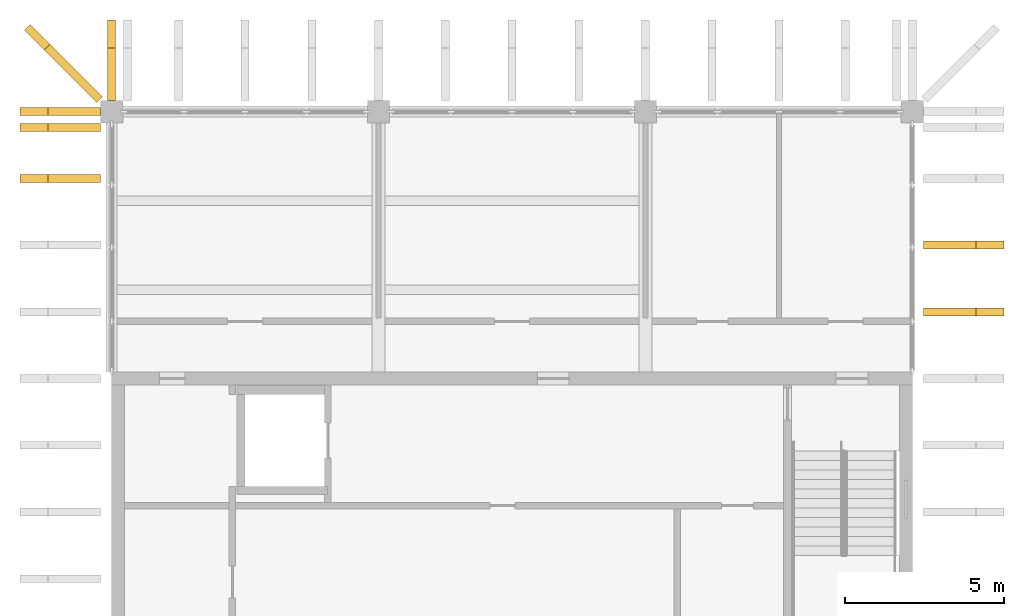
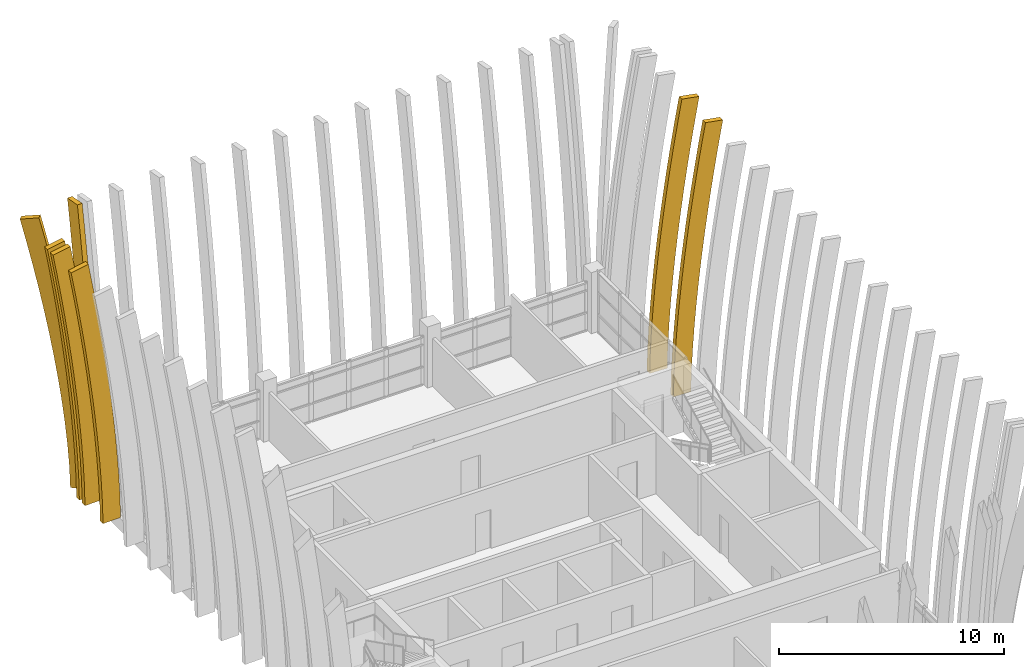
# One storey, part 15 of 19: 7 shading devices.
"""IFC4 building model written with IfcOpenShell, lengths in metres."""

from ifc_helpers import new_model, si_unit, direction, frame, origin, origin_2d, place, context, subcontext, project, spatial, rectangle, faceted_brep, material, material_profile, profile_set, type_object, element, save


model = new_model("IFC4")

# Units and contexts
model_context = context("Model", 3, precision=1e-05, world=origin(), true_north=direction((0.0, 1.0)))
body_context = subcontext(model_context, "Body", "Model", "MODEL_VIEW")
ifc_project = project(units=[si_unit("LENGTHUNIT", "METRE"), si_unit("AREAUNIT", "SQUARE_METRE"), si_unit("VOLUMEUNIT", "CUBIC_METRE"), si_unit("PLANEANGLEUNIT", "RADIAN"), si_unit("MASSUNIT", "GRAM", prefix="KILO")], contexts=[model_context])

# Site, building, storey
site_placement = place(None, origin())
site = spatial("IfcSite", under=ifc_project, at=site_placement, CompositionType="ELEMENT")
building_placement = place(site_placement, origin())
building = spatial("IfcBuilding", under=site, at=building_placement, Name="Rulbaag Community and Learning Centre", CompositionType="ELEMENT")
storey_placement = place(building_placement, frame((0.0, 0.0, 57.60009765625)))
storey = spatial("IfcBuildingStorey", under=building, at=storey_placement, Name="L15", CompositionType="ELEMENT", Elevation=57.60009765625)

# Shading devices
ifc_material = material(Name="Concrete M40", Category="concrete")
ifc_material_profile = material_profile(ifc_material, rectangle(XDim=0.25, YDim=0.89990234375, at=origin_2d()), Name="PC 250x900")
ifc_profile_set = profile_set([ifc_material_profile], Name="Concrete M40")
shading_device_type = type_object("IfcShadingDeviceType", Name="FIN-H", PredefinedType="JALOUSIE", material=ifc_profile_set)
shading_device_1_placement = place(storey_placement, frame((0.0, 0.0, -57.60009765625)))
element("IfcShadingDevice", 1, at=shading_device_1_placement, inside=storey, type_object=shading_device_type, Name="Precast crown fin", PredefinedType="JALOUSIE", context=body_context, shape_type="Brep", body=[
    faceted_brep([(142.675048828125, 118.849853515625, 57.587646484375), (142.925048828125, 118.849853515625, 57.587646484375), (142.925048828125, 117.949951171875, 57.611083984375), (142.675048828125, 117.949951171875, 57.611083984375), (142.675048828125, 119.599609375, 71.89794921875), (142.925048828125, 119.599609375, 71.89794921875), (142.925048828125, 120.4853515625, 71.73876953125), (142.675048828125, 120.4853515625, 71.73876953125), (142.925048828125, 117.98095703125, 58.790771484375), (142.675048828125, 117.98095703125, 58.790771484375), (142.925048828125, 118.88037109375, 58.755126953125), (142.675048828125, 118.88037109375, 58.755126953125), (142.925048828125, 118.043701171875, 59.983154296875), (142.675048828125, 118.043701171875, 59.983154296875), (142.925048828125, 118.942138671875, 59.927001953125), (142.675048828125, 118.942138671875, 59.927001953125), (142.925048828125, 118.129638671875, 61.1748046875), (142.675048828125, 118.129638671875, 61.1748046875), (142.925048828125, 119.026611328125, 61.10302734375), (142.675048828125, 119.026611328125, 61.10302734375), (142.925048828125, 118.234619140625, 62.36669921875), (142.675048828125, 118.234619140625, 62.36669921875), (142.925048828125, 119.130615234375, 62.28125), (142.675048828125, 119.130615234375, 62.28125), (142.925048828125, 118.356689453125, 63.558349609375), (142.675048828125, 118.356689453125, 63.558349609375), (142.925048828125, 119.251220703125, 63.460693359375), (142.675048828125, 119.251220703125, 63.460693359375), (142.925048828125, 118.494140625, 64.75), (142.675048828125, 118.494140625, 64.75), (142.925048828125, 119.3876953125, 64.64111328125), (142.675048828125, 119.3876953125, 64.64111328125), (142.925048828125, 118.646484375, 65.941650390625), (142.675048828125, 118.646484375, 65.941650390625), (142.925048828125, 119.53857421875, 65.822509765625), (142.675048828125, 119.53857421875, 65.822509765625), (142.925048828125, 118.8125, 67.13330078125), (142.675048828125, 118.8125, 67.13330078125), (142.925048828125, 119.703125, 67.00439453125), (142.675048828125, 119.703125, 67.00439453125), (142.925048828125, 118.991455078125, 68.324951171875), (142.675048828125, 118.991455078125, 68.324951171875), (142.925048828125, 119.880615234375, 68.186767578125), (142.675048828125, 119.880615234375, 68.186767578125), (142.925048828125, 119.1826171875, 69.5166015625), (142.675048828125, 119.1826171875, 69.5166015625), (142.925048828125, 120.0703125, 69.36962890625), (142.675048828125, 120.0703125, 69.36962890625), (142.925048828125, 119.385498046875, 70.708251953125), (142.675048828125, 119.385498046875, 70.708251953125), (142.925048828125, 120.272216796875, 70.552978515625), (142.675048828125, 120.272216796875, 70.552978515625)], [[[0, 1, 2, 3]], [[4, 5, 6, 7]], [[3, 2, 8, 9]], [[2, 1, 10, 8]], [[1, 0, 11, 10]], [[0, 3, 9, 11]], [[9, 8, 12, 13]], [[8, 10, 14, 12]], [[10, 11, 15, 14]], [[11, 9, 13, 15]], [[13, 12, 16, 17]], [[12, 14, 18, 16]], [[14, 15, 19, 18]], [[15, 13, 17, 19]], [[17, 16, 20, 21]], [[16, 18, 22, 20]], [[18, 19, 23, 22]], [[19, 17, 21, 23]], [[21, 20, 24, 25]], [[20, 22, 26, 24]], [[22, 23, 27, 26]], [[23, 21, 25, 27]], [[25, 24, 28, 29]], [[24, 26, 30, 28]], [[26, 27, 31, 30]], [[27, 25, 29, 31]], [[29, 28, 32, 33]], [[28, 30, 34, 32]], [[30, 31, 35, 34]], [[31, 29, 33, 35]], [[33, 32, 36, 37]], [[32, 34, 38, 36]], [[34, 35, 39, 38]], [[35, 33, 37, 39]], [[37, 36, 40, 41]], [[36, 38, 42, 40]], [[38, 39, 43, 42]], [[39, 37, 41, 43]], [[41, 40, 44, 45]], [[40, 42, 46, 44]], [[42, 43, 47, 46]], [[43, 41, 45, 47]], [[45, 44, 48, 49]], [[44, 46, 50, 48]], [[46, 47, 51, 50]], [[47, 45, 49, 51]], [[49, 48, 5, 4]], [[48, 50, 6, 5]], [[50, 51, 7, 6]], [[51, 49, 4, 7]]]),
])
shading_device_2_placement = place(storey_placement, frame((0.0, 0.0, -57.60009765625)))
element("IfcShadingDevice", 2, at=shading_device_2_placement, inside=storey, type_object=shading_device_type, Name="Precast crown fin", PredefinedType="JALOUSIE", context=body_context, shape_type="Brep", body=[
    faceted_brep([(141.550048828125, 115.375, 57.587646484375), (141.550048828125, 115.625, 57.587646484375), (142.449951171875, 115.625, 57.611083984375), (142.449951171875, 115.375, 57.611083984375), (140.80029296875, 115.375, 71.898193359375), (140.80029296875, 115.625, 71.898193359375), (139.91455078125, 115.625, 71.738525390625), (139.91455078125, 115.375, 71.738525390625), (142.419189453125, 115.625, 58.790771484375), (142.419189453125, 115.375, 58.790771484375), (141.519775390625, 115.625, 58.755126953125), (141.519775390625, 115.375, 58.755126953125), (142.356201171875, 115.625, 59.983154296875), (142.356201171875, 115.375, 59.983154296875), (141.457763671875, 115.625, 59.927001953125), (141.457763671875, 115.375, 59.927001953125), (142.2705078125, 115.625, 61.1748046875), (142.2705078125, 115.375, 61.1748046875), (141.37353515625, 115.625, 61.10302734375), (141.37353515625, 115.375, 61.10302734375), (142.16552734375, 115.625, 62.36669921875), (142.16552734375, 115.375, 62.36669921875), (141.26953125, 115.625, 62.28125), (141.26953125, 115.375, 62.28125), (142.04345703125, 115.625, 63.558349609375), (142.04345703125, 115.375, 63.558349609375), (141.14892578125, 115.625, 63.460693359375), (141.14892578125, 115.375, 63.460693359375), (141.90576171875, 115.625, 64.75), (141.90576171875, 115.375, 64.75), (141.01220703125, 115.625, 64.64111328125), (141.01220703125, 115.375, 64.64111328125), (141.75341796875, 115.625, 65.941650390625), (141.75341796875, 115.375, 65.941650390625), (140.861328125, 115.625, 65.822509765625), (140.861328125, 115.375, 65.822509765625), (141.58740234375, 115.625, 67.13330078125), (141.58740234375, 115.375, 67.13330078125), (140.69677734375, 115.625, 67.00439453125), (140.69677734375, 115.375, 67.00439453125), (141.40869140625, 115.625, 68.324951171875), (141.40869140625, 115.375, 68.324951171875), (140.51953125, 115.625, 68.186767578125), (140.51953125, 115.375, 68.186767578125), (141.21728515625, 115.625, 69.5166015625), (141.21728515625, 115.375, 69.5166015625), (140.32958984375, 115.625, 69.36962890625), (140.32958984375, 115.375, 69.36962890625), (141.0146484375, 115.625, 70.708251953125), (141.0146484375, 115.375, 70.708251953125), (140.1279296875, 115.625, 70.552978515625), (140.1279296875, 115.375, 70.552978515625)], [[[0, 1, 2, 3]], [[4, 5, 6, 7]], [[3, 2, 8, 9]], [[2, 1, 10, 8]], [[1, 0, 11, 10]], [[0, 3, 9, 11]], [[9, 8, 12, 13]], [[8, 10, 14, 12]], [[10, 11, 15, 14]], [[11, 9, 13, 15]], [[13, 12, 16, 17]], [[12, 14, 18, 16]], [[14, 15, 19, 18]], [[15, 13, 17, 19]], [[17, 16, 20, 21]], [[16, 18, 22, 20]], [[18, 19, 23, 22]], [[19, 17, 21, 23]], [[21, 20, 24, 25]], [[20, 22, 26, 24]], [[22, 23, 27, 26]], [[23, 21, 25, 27]], [[25, 24, 28, 29]], [[24, 26, 30, 28]], [[26, 27, 31, 30]], [[27, 25, 29, 31]], [[29, 28, 32, 33]], [[28, 30, 34, 32]], [[30, 31, 35, 34]], [[31, 29, 33, 35]], [[33, 32, 36, 37]], [[32, 34, 38, 36]], [[34, 35, 39, 38]], [[35, 33, 37, 39]], [[37, 36, 40, 41]], [[36, 38, 42, 40]], [[38, 39, 43, 42]], [[39, 37, 41, 43]], [[41, 40, 44, 45]], [[40, 42, 46, 44]], [[42, 43, 47, 46]], [[43, 41, 45, 47]], [[45, 44, 48, 49]], [[44, 46, 50, 48]], [[46, 47, 51, 50]], [[47, 45, 49, 51]], [[49, 48, 5, 4]], [[48, 50, 6, 5]], [[50, 51, 7, 6]], [[51, 49, 4, 7]]]),
])
shading_device_3_placement = place(storey_placement, frame((0.0, 0.0, -57.60009765625)))
element("IfcShadingDevice", 3, at=shading_device_3_placement, inside=storey, type_object=shading_device_type, Name="Precast crown fin", PredefinedType="JALOUSIE", context=body_context, shape_type="Brep", body=[
    faceted_brep([(141.550048828125, 116.97509765625, 57.587646484375), (141.550048828125, 117.22509765625, 57.587646484375), (142.449951171875, 117.22509765625, 57.611083984375), (142.449951171875, 116.97509765625, 57.611083984375), (140.80029296875, 116.97509765625, 71.898193359375), (140.80029296875, 117.22509765625, 71.898193359375), (139.91455078125, 117.22509765625, 71.738525390625), (139.91455078125, 116.97509765625, 71.738525390625), (142.419189453125, 117.22509765625, 58.790771484375), (142.419189453125, 116.97509765625, 58.790771484375), (141.519775390625, 117.22509765625, 58.755126953125), (141.519775390625, 116.97509765625, 58.755126953125), (142.356201171875, 117.22509765625, 59.983154296875), (142.356201171875, 116.97509765625, 59.983154296875), (141.457763671875, 117.22509765625, 59.927001953125), (141.457763671875, 116.97509765625, 59.927001953125), (142.2705078125, 117.22509765625, 61.1748046875), (142.2705078125, 116.97509765625, 61.1748046875), (141.37353515625, 117.22509765625, 61.10302734375), (141.37353515625, 116.97509765625, 61.10302734375), (142.16552734375, 117.22509765625, 62.36669921875), (142.16552734375, 116.97509765625, 62.36669921875), (141.26953125, 117.22509765625, 62.28125), (141.26953125, 116.97509765625, 62.28125), (142.04345703125, 117.22509765625, 63.558349609375), (142.04345703125, 116.97509765625, 63.558349609375), (141.14892578125, 117.22509765625, 63.460693359375), (141.14892578125, 116.97509765625, 63.460693359375), (141.90576171875, 117.22509765625, 64.75), (141.90576171875, 116.97509765625, 64.75), (141.01220703125, 117.22509765625, 64.64111328125), (141.01220703125, 116.97509765625, 64.64111328125), (141.75341796875, 117.22509765625, 65.941650390625), (141.75341796875, 116.97509765625, 65.941650390625), (140.861328125, 117.22509765625, 65.822509765625), (140.861328125, 116.97509765625, 65.822509765625), (141.58740234375, 117.22509765625, 67.13330078125), (141.58740234375, 116.97509765625, 67.13330078125), (140.69677734375, 117.22509765625, 67.00439453125), (140.69677734375, 116.97509765625, 67.00439453125), (141.40869140625, 117.22509765625, 68.324951171875), (141.40869140625, 116.97509765625, 68.324951171875), (140.51953125, 117.22509765625, 68.186767578125), (140.51953125, 116.97509765625, 68.186767578125), (141.21728515625, 117.22509765625, 69.5166015625), (141.21728515625, 116.97509765625, 69.5166015625), (140.32958984375, 117.22509765625, 69.36962890625), (140.32958984375, 116.97509765625, 69.36962890625), (141.0146484375, 117.22509765625, 70.708251953125), (141.0146484375, 116.97509765625, 70.708251953125), (140.1279296875, 117.22509765625, 70.552978515625), (140.1279296875, 116.97509765625, 70.552978515625)], [[[0, 1, 2, 3]], [[4, 5, 6, 7]], [[3, 2, 8, 9]], [[2, 1, 10, 8]], [[1, 0, 11, 10]], [[0, 3, 9, 11]], [[9, 8, 12, 13]], [[8, 10, 14, 12]], [[10, 11, 15, 14]], [[11, 9, 13, 15]], [[13, 12, 16, 17]], [[12, 14, 18, 16]], [[14, 15, 19, 18]], [[15, 13, 17, 19]], [[17, 16, 20, 21]], [[16, 18, 22, 20]], [[18, 19, 23, 22]], [[19, 17, 21, 23]], [[21, 20, 24, 25]], [[20, 22, 26, 24]], [[22, 23, 27, 26]], [[23, 21, 25, 27]], [[25, 24, 28, 29]], [[24, 26, 30, 28]], [[26, 27, 31, 30]], [[27, 25, 29, 31]], [[29, 28, 32, 33]], [[28, 30, 34, 32]], [[30, 31, 35, 34]], [[31, 29, 33, 35]], [[33, 32, 36, 37]], [[32, 34, 38, 36]], [[34, 35, 39, 38]], [[35, 33, 37, 39]], [[37, 36, 40, 41]], [[36, 38, 42, 40]], [[38, 39, 43, 42]], [[39, 37, 41, 43]], [[41, 40, 44, 45]], [[40, 42, 46, 44]], [[42, 43, 47, 46]], [[43, 41, 45, 47]], [[45, 44, 48, 49]], [[44, 46, 50, 48]], [[46, 47, 51, 50]], [[47, 45, 49, 51]], [[49, 48, 5, 4]], [[48, 50, 6, 5]], [[50, 51, 7, 6]], [[51, 49, 4, 7]]]),
])
shading_device_4_placement = place(storey_placement, frame((0.0, 0.0, -57.60009765625)))
element("IfcShadingDevice", 4, at=shading_device_4_placement, inside=storey, type_object=shading_device_type, Name="Precast crown fin", PredefinedType="JALOUSIE", context=body_context, shape_type="Brep", body=[
    faceted_brep([(141.550048828125, 117.47509765625, 57.587646484375), (141.550048828125, 117.72509765625, 57.587646484375), (142.449951171875, 117.72509765625, 57.611083984375), (142.449951171875, 117.47509765625, 57.611083984375), (140.80029296875, 117.47509765625, 71.898193359375), (140.80029296875, 117.72509765625, 71.898193359375), (139.91455078125, 117.72509765625, 71.738525390625), (139.91455078125, 117.47509765625, 71.738525390625), (142.419189453125, 117.72509765625, 58.790771484375), (142.419189453125, 117.47509765625, 58.790771484375), (141.519775390625, 117.72509765625, 58.755126953125), (141.519775390625, 117.47509765625, 58.755126953125), (142.356201171875, 117.72509765625, 59.983154296875), (142.356201171875, 117.47509765625, 59.983154296875), (141.457763671875, 117.72509765625, 59.927001953125), (141.457763671875, 117.47509765625, 59.927001953125), (142.2705078125, 117.72509765625, 61.1748046875), (142.2705078125, 117.47509765625, 61.1748046875), (141.37353515625, 117.72509765625, 61.10302734375), (141.37353515625, 117.47509765625, 61.10302734375), (142.16552734375, 117.72509765625, 62.36669921875), (142.16552734375, 117.47509765625, 62.36669921875), (141.26953125, 117.72509765625, 62.28125), (141.26953125, 117.47509765625, 62.28125), (142.04345703125, 117.72509765625, 63.558349609375), (142.04345703125, 117.47509765625, 63.558349609375), (141.14892578125, 117.72509765625, 63.460693359375), (141.14892578125, 117.47509765625, 63.460693359375), (141.90576171875, 117.72509765625, 64.75), (141.90576171875, 117.47509765625, 64.75), (141.01220703125, 117.72509765625, 64.64111328125), (141.01220703125, 117.47509765625, 64.64111328125), (141.75341796875, 117.72509765625, 65.941650390625), (141.75341796875, 117.47509765625, 65.941650390625), (140.861328125, 117.72509765625, 65.822509765625), (140.861328125, 117.47509765625, 65.822509765625), (141.58740234375, 117.72509765625, 67.13330078125), (141.58740234375, 117.47509765625, 67.13330078125), (140.69677734375, 117.72509765625, 67.00439453125), (140.69677734375, 117.47509765625, 67.00439453125), (141.40869140625, 117.72509765625, 68.324951171875), (141.40869140625, 117.47509765625, 68.324951171875), (140.51953125, 117.72509765625, 68.186767578125), (140.51953125, 117.47509765625, 68.186767578125), (141.21728515625, 117.72509765625, 69.5166015625), (141.21728515625, 117.47509765625, 69.5166015625), (140.32958984375, 117.72509765625, 69.36962890625), (140.32958984375, 117.47509765625, 69.36962890625), (141.0146484375, 117.72509765625, 70.708251953125), (141.0146484375, 117.47509765625, 70.708251953125), (140.1279296875, 117.72509765625, 70.552978515625), (140.1279296875, 117.47509765625, 70.552978515625)], [[[0, 1, 2, 3]], [[4, 5, 6, 7]], [[3, 2, 8, 9]], [[2, 1, 10, 8]], [[1, 0, 11, 10]], [[0, 3, 9, 11]], [[9, 8, 12, 13]], [[8, 10, 14, 12]], [[10, 11, 15, 14]], [[11, 9, 13, 15]], [[13, 12, 16, 17]], [[12, 14, 18, 16]], [[14, 15, 19, 18]], [[15, 13, 17, 19]], [[17, 16, 20, 21]], [[16, 18, 22, 20]], [[18, 19, 23, 22]], [[19, 17, 21, 23]], [[21, 20, 24, 25]], [[20, 22, 26, 24]], [[22, 23, 27, 26]], [[23, 21, 25, 27]], [[25, 24, 28, 29]], [[24, 26, 30, 28]], [[26, 27, 31, 30]], [[27, 25, 29, 31]], [[29, 28, 32, 33]], [[28, 30, 34, 32]], [[30, 31, 35, 34]], [[31, 29, 33, 35]], [[33, 32, 36, 37]], [[32, 34, 38, 36]], [[34, 35, 39, 38]], [[35, 33, 37, 39]], [[37, 36, 40, 41]], [[36, 38, 42, 40]], [[38, 39, 43, 42]], [[39, 37, 41, 43]], [[41, 40, 44, 45]], [[40, 42, 46, 44]], [[42, 43, 47, 46]], [[43, 41, 45, 47]], [[45, 44, 48, 49]], [[44, 46, 50, 48]], [[46, 47, 51, 50]], [[47, 45, 49, 51]], [[49, 48, 5, 4]], [[48, 50, 6, 5]], [[50, 51, 7, 6]], [[51, 49, 4, 7]]]),
])
shading_device_5_placement = place(storey_placement, frame((0.0, 0.0, -57.60009765625)))
element("IfcShadingDevice", 5, at=shading_device_5_placement, inside=storey, type_object=shading_device_type, Name="Precast crown fin", PredefinedType="JALOUSIE", context=body_context, shape_type="Brep", body=[
    faceted_brep([(169.25, 111.175048828125, 57.587646484375), (169.25, 111.425048828125, 57.587646484375), (168.35009765625, 111.425048828125, 57.611083984375), (168.35009765625, 111.175048828125, 57.611083984375), (169.99951171875, 111.175048828125, 71.89794921875), (169.99951171875, 111.425048828125, 71.89794921875), (170.88525390625, 111.425048828125, 71.73876953125), (170.88525390625, 111.175048828125, 71.73876953125), (168.380859375, 111.425048828125, 58.790771484375), (168.380859375, 111.175048828125, 58.790771484375), (169.2802734375, 111.425048828125, 58.755126953125), (169.2802734375, 111.175048828125, 58.755126953125), (168.44384765625, 111.425048828125, 59.983154296875), (168.44384765625, 111.175048828125, 59.983154296875), (169.34228515625, 111.425048828125, 59.927001953125), (169.34228515625, 111.175048828125, 59.927001953125), (168.529541015625, 111.425048828125, 61.1748046875), (168.529541015625, 111.175048828125, 61.1748046875), (169.426513671875, 111.425048828125, 61.10302734375), (169.426513671875, 111.175048828125, 61.10302734375), (168.634521484375, 111.425048828125, 62.36669921875), (168.634521484375, 111.175048828125, 62.36669921875), (169.530517578125, 111.425048828125, 62.28125), (169.530517578125, 111.175048828125, 62.28125), (168.756591796875, 111.425048828125, 63.558349609375), (168.756591796875, 111.175048828125, 63.558349609375), (169.651123046875, 111.425048828125, 63.460693359375), (169.651123046875, 111.175048828125, 63.460693359375), (168.894287109375, 111.425048828125, 64.75), (168.894287109375, 111.175048828125, 64.75), (169.787841796875, 111.425048828125, 64.64111328125), (169.787841796875, 111.175048828125, 64.64111328125), (169.046630859375, 111.425048828125, 65.941650390625), (169.046630859375, 111.175048828125, 65.941650390625), (169.938720703125, 111.425048828125, 65.822509765625), (169.938720703125, 111.175048828125, 65.822509765625), (169.21240234375, 111.425048828125, 67.13330078125), (169.21240234375, 111.175048828125, 67.13330078125), (170.10302734375, 111.425048828125, 67.00439453125), (170.10302734375, 111.175048828125, 67.00439453125), (169.391357421875, 111.425048828125, 68.324951171875), (169.391357421875, 111.175048828125, 68.324951171875), (170.280517578125, 111.425048828125, 68.186767578125), (170.280517578125, 111.175048828125, 68.186767578125), (169.582763671875, 111.425048828125, 69.5166015625), (169.582763671875, 111.175048828125, 69.5166015625), (170.470458984375, 111.425048828125, 69.36962890625), (170.470458984375, 111.175048828125, 69.36962890625), (169.785400390625, 111.425048828125, 70.708251953125), (169.785400390625, 111.175048828125, 70.708251953125), (170.672119140625, 111.425048828125, 70.552978515625), (170.672119140625, 111.175048828125, 70.552978515625)], [[[0, 1, 2, 3]], [[4, 5, 6, 7]], [[3, 2, 8, 9]], [[2, 1, 10, 8]], [[1, 0, 11, 10]], [[0, 3, 9, 11]], [[9, 8, 12, 13]], [[8, 10, 14, 12]], [[10, 11, 15, 14]], [[11, 9, 13, 15]], [[13, 12, 16, 17]], [[12, 14, 18, 16]], [[14, 15, 19, 18]], [[15, 13, 17, 19]], [[17, 16, 20, 21]], [[16, 18, 22, 20]], [[18, 19, 23, 22]], [[19, 17, 21, 23]], [[21, 20, 24, 25]], [[20, 22, 26, 24]], [[22, 23, 27, 26]], [[23, 21, 25, 27]], [[25, 24, 28, 29]], [[24, 26, 30, 28]], [[26, 27, 31, 30]], [[27, 25, 29, 31]], [[29, 28, 32, 33]], [[28, 30, 34, 32]], [[30, 31, 35, 34]], [[31, 29, 33, 35]], [[33, 32, 36, 37]], [[32, 34, 38, 36]], [[34, 35, 39, 38]], [[35, 33, 37, 39]], [[37, 36, 40, 41]], [[36, 38, 42, 40]], [[38, 39, 43, 42]], [[39, 37, 41, 43]], [[41, 40, 44, 45]], [[40, 42, 46, 44]], [[42, 43, 47, 46]], [[43, 41, 45, 47]], [[45, 44, 48, 49]], [[44, 46, 50, 48]], [[46, 47, 51, 50]], [[47, 45, 49, 51]], [[49, 48, 5, 4]], [[48, 50, 6, 5]], [[50, 51, 7, 6]], [[51, 49, 4, 7]]]),
])
shading_device_6_placement = place(storey_placement, frame((0.0, 0.0, -57.60009765625)))
element("IfcShadingDevice", 6, at=shading_device_6_placement, inside=storey, type_object=shading_device_type, Name="Precast crown fin", PredefinedType="JALOUSIE", context=body_context, shape_type="Brep", body=[
    faceted_brep([(169.25, 113.27490234375, 57.587646484375), (169.25, 113.52490234375, 57.587646484375), (168.35009765625, 113.52490234375, 57.611083984375), (168.35009765625, 113.27490234375, 57.611083984375), (169.99951171875, 113.27490234375, 71.89794921875), (169.99951171875, 113.52490234375, 71.89794921875), (170.88525390625, 113.52490234375, 71.73876953125), (170.88525390625, 113.27490234375, 71.73876953125), (168.380859375, 113.52490234375, 58.790771484375), (168.380859375, 113.27490234375, 58.790771484375), (169.2802734375, 113.52490234375, 58.755126953125), (169.2802734375, 113.27490234375, 58.755126953125), (168.44384765625, 113.52490234375, 59.983154296875), (168.44384765625, 113.27490234375, 59.983154296875), (169.34228515625, 113.52490234375, 59.927001953125), (169.34228515625, 113.27490234375, 59.927001953125), (168.529541015625, 113.52490234375, 61.1748046875), (168.529541015625, 113.27490234375, 61.1748046875), (169.426513671875, 113.52490234375, 61.10302734375), (169.426513671875, 113.27490234375, 61.10302734375), (168.634521484375, 113.52490234375, 62.36669921875), (168.634521484375, 113.27490234375, 62.36669921875), (169.530517578125, 113.52490234375, 62.28125), (169.530517578125, 113.27490234375, 62.28125), (168.756591796875, 113.52490234375, 63.558349609375), (168.756591796875, 113.27490234375, 63.558349609375), (169.651123046875, 113.52490234375, 63.460693359375), (169.651123046875, 113.27490234375, 63.460693359375), (168.894287109375, 113.52490234375, 64.75), (168.894287109375, 113.27490234375, 64.75), (169.787841796875, 113.52490234375, 64.64111328125), (169.787841796875, 113.27490234375, 64.64111328125), (169.046630859375, 113.52490234375, 65.941650390625), (169.046630859375, 113.27490234375, 65.941650390625), (169.938720703125, 113.52490234375, 65.822509765625), (169.938720703125, 113.27490234375, 65.822509765625), (169.21240234375, 113.52490234375, 67.13330078125), (169.21240234375, 113.27490234375, 67.13330078125), (170.10302734375, 113.52490234375, 67.00439453125), (170.10302734375, 113.27490234375, 67.00439453125), (169.391357421875, 113.52490234375, 68.324951171875), (169.391357421875, 113.27490234375, 68.324951171875), (170.280517578125, 113.52490234375, 68.186767578125), (170.280517578125, 113.27490234375, 68.186767578125), (169.582763671875, 113.52490234375, 69.5166015625), (169.582763671875, 113.27490234375, 69.5166015625), (170.470458984375, 113.52490234375, 69.36962890625), (170.470458984375, 113.27490234375, 69.36962890625), (169.785400390625, 113.52490234375, 70.708251953125), (169.785400390625, 113.27490234375, 70.708251953125), (170.672119140625, 113.52490234375, 70.552978515625), (170.672119140625, 113.27490234375, 70.552978515625)], [[[0, 1, 2, 3]], [[4, 5, 6, 7]], [[3, 2, 8, 9]], [[2, 1, 10, 8]], [[1, 0, 11, 10]], [[0, 3, 9, 11]], [[9, 8, 12, 13]], [[8, 10, 14, 12]], [[10, 11, 15, 14]], [[11, 9, 13, 15]], [[13, 12, 16, 17]], [[12, 14, 18, 16]], [[14, 15, 19, 18]], [[15, 13, 17, 19]], [[17, 16, 20, 21]], [[16, 18, 22, 20]], [[18, 19, 23, 22]], [[19, 17, 21, 23]], [[21, 20, 24, 25]], [[20, 22, 26, 24]], [[22, 23, 27, 26]], [[23, 21, 25, 27]], [[25, 24, 28, 29]], [[24, 26, 30, 28]], [[26, 27, 31, 30]], [[27, 25, 29, 31]], [[29, 28, 32, 33]], [[28, 30, 34, 32]], [[30, 31, 35, 34]], [[31, 29, 33, 35]], [[33, 32, 36, 37]], [[32, 34, 38, 36]], [[34, 35, 39, 38]], [[35, 33, 37, 39]], [[37, 36, 40, 41]], [[36, 38, 42, 40]], [[38, 39, 43, 42]], [[39, 37, 41, 43]], [[41, 40, 44, 45]], [[40, 42, 46, 44]], [[42, 43, 47, 46]], [[43, 41, 45, 47]], [[45, 44, 48, 49]], [[44, 46, 50, 48]], [[46, 47, 51, 50]], [[47, 45, 49, 51]], [[49, 48, 5, 4]], [[48, 50, 6, 5]], [[50, 51, 7, 6]], [[51, 49, 4, 7]]]),
])
shading_device_7_placement = place(storey_placement, frame((0.0, 0.0, -57.60009765625)))
element("IfcShadingDevice", 7, at=shading_device_7_placement, inside=storey, type_object=shading_device_type, Name="Precast crown corner fin", PredefinedType="JALOUSIE", context=body_context, shape_type="Brep", body=[
    faceted_brep([(141.871826171875, 118.704833984375, 57.582763671875), (141.695068359375, 118.528076171875, 57.582763671875), (142.330810546875, 117.892333984375, 57.615966796875), (142.507568359375, 118.069091796875, 57.615966796875), (140.85302734375, 119.723876953125, 71.931396484375), (140.676025390625, 119.546875, 71.931396484375), (140.06005859375, 120.162841796875, 71.705322265625), (140.237060546875, 120.33984375, 71.705322265625), (142.2998046875, 117.92333984375, 58.798095703125), (142.4765625, 118.10009765625, 58.798095703125), (141.66455078125, 118.55859375, 58.747802734375), (141.84130859375, 118.7353515625, 58.747802734375), (142.236572265625, 117.986572265625, 59.99462890625), (142.413330078125, 118.163330078125, 59.99462890625), (141.602783203125, 118.620361328125, 59.91552734375), (141.779541015625, 118.797119140625, 59.91552734375), (142.150634765625, 118.07275390625, 61.189697265625), (142.327392578125, 118.24951171875, 61.189697265625), (141.518310546875, 118.705078125, 61.088134765625), (141.695068359375, 118.8818359375, 61.088134765625), (142.045166015625, 118.177978515625, 62.384033203125), (142.221923828125, 118.354736328125, 62.384033203125), (141.414306640625, 118.808837890625, 62.263916015625), (141.591064453125, 118.985595703125, 62.263916015625), (141.922607421875, 118.300537109375, 63.578125), (142.099365234375, 118.477294921875, 63.578125), (141.293701171875, 118.929443359375, 63.44091796875), (141.470458984375, 119.106201171875, 63.44091796875), (141.784423828125, 118.43896484375, 64.77197265625), (141.961181640625, 118.61572265625, 64.77197265625), (141.157470703125, 119.06591796875, 64.619140625), (141.334228515625, 119.24267578125, 64.619140625), (141.632080078125, 118.59130859375, 65.965576171875), (141.808837890625, 118.76806640625, 65.965576171875), (141.006591796875, 119.216796875, 65.798583984375), (141.183349609375, 119.3935546875, 65.798583984375), (141.465576171875, 118.7578125, 67.1591796875), (141.642333984375, 118.9345703125, 67.1591796875), (140.842041015625, 119.38134765625, 66.978515625), (141.018798828125, 119.55810546875, 66.978515625), (141.2861328125, 118.93701171875, 68.3525390625), (141.462890625, 119.11376953125, 68.3525390625), (140.66455078125, 119.55859375, 68.1591796875), (140.84130859375, 119.7353515625, 68.1591796875), (141.094482421875, 119.128662109375, 69.545654296875), (141.271240234375, 119.305419921875, 69.545654296875), (140.474853515625, 119.748291015625, 69.340576171875), (140.651611328125, 119.925048828125, 69.340576171875), (140.89111328125, 119.33203125, 70.7373046875), (141.06787109375, 119.5087890625, 70.7373046875), (140.27294921875, 119.9501953125, 70.52392578125), (140.44970703125, 120.126953125, 70.52392578125), (140.8037109375, 119.41943359375, 71.23046875), (140.98046875, 119.59619140625, 71.23046875), (140.1865234375, 120.03662109375, 71.0107421875), (140.36328125, 120.21337890625, 71.0107421875), (140.767578125, 119.45556640625, 71.431396484375), (140.9443359375, 119.63232421875, 71.431396484375), (140.15087890625, 120.072265625, 71.208740234375), (140.32763671875, 120.2490234375, 71.208740234375), (140.731201171875, 119.491943359375, 71.6318359375), (140.907958984375, 119.668701171875, 71.6318359375), (140.114990234375, 120.108154296875, 71.40673828125), (140.291748046875, 120.284912109375, 71.40673828125)], [[[0, 1, 2, 3]], [[4, 5, 6, 7]], [[3, 2, 8, 9]], [[2, 1, 10, 8]], [[1, 0, 11, 10]], [[0, 3, 9, 11]], [[9, 8, 12, 13]], [[8, 10, 14, 12]], [[10, 11, 15, 14]], [[11, 9, 13, 15]], [[13, 12, 16, 17]], [[12, 14, 18, 16]], [[14, 15, 19, 18]], [[15, 13, 17, 19]], [[17, 16, 20, 21]], [[16, 18, 22, 20]], [[18, 19, 23, 22]], [[19, 17, 21, 23]], [[21, 20, 24, 25]], [[20, 22, 26, 24]], [[22, 23, 27, 26]], [[23, 21, 25, 27]], [[25, 24, 28, 29]], [[24, 26, 30, 28]], [[26, 27, 31, 30]], [[27, 25, 29, 31]], [[29, 28, 32, 33]], [[28, 30, 34, 32]], [[30, 31, 35, 34]], [[31, 29, 33, 35]], [[33, 32, 36, 37]], [[32, 34, 38, 36]], [[34, 35, 39, 38]], [[35, 33, 37, 39]], [[37, 36, 40, 41]], [[36, 38, 42, 40]], [[38, 39, 43, 42]], [[39, 37, 41, 43]], [[41, 40, 44, 45]], [[40, 42, 46, 44]], [[42, 43, 47, 46]], [[43, 41, 45, 47]], [[45, 44, 48, 49]], [[44, 46, 50, 48]], [[46, 47, 51, 50]], [[47, 45, 49, 51]], [[49, 48, 52, 53]], [[48, 50, 54, 52]], [[50, 51, 55, 54]], [[51, 49, 53, 55]], [[53, 52, 56, 57]], [[52, 54, 58, 56]], [[54, 55, 59, 58]], [[55, 53, 57, 59]], [[57, 56, 60, 61]], [[56, 58, 62, 60]], [[58, 59, 63, 62]], [[59, 57, 61, 63]], [[61, 60, 5, 4]], [[60, 62, 6, 5]], [[62, 63, 7, 6]], [[63, 61, 4, 7]]]),
])

save(model, "model.ifc")
